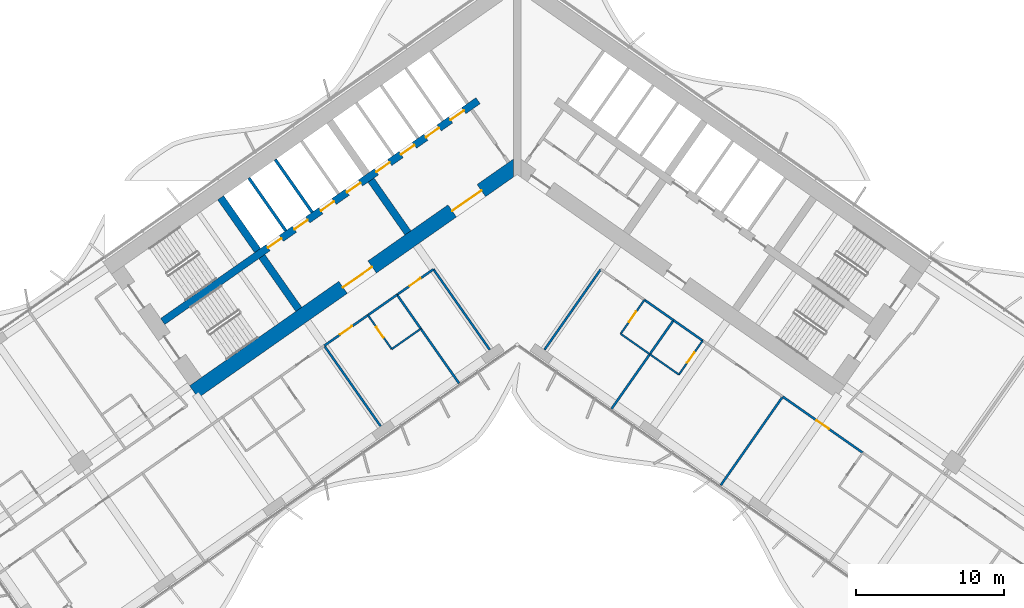
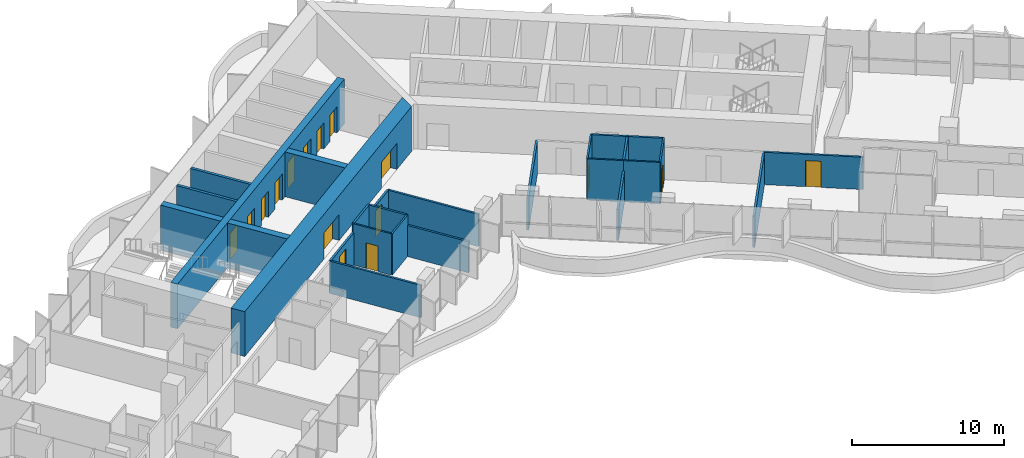
# One storey, part 13 of 22: 27 walls, 16 doors, 16 openings.
"""IFC4 building model written with IfcOpenShell, lengths in metres."""

from ifc_helpers import new_model, si_unit, direction, frame, frame_2d, origin, place, context, subcontext, project, spatial, polyline, rectangle, outline, extrude, material, layer, layer_set, type_object, element, fill, save


model = new_model("IFC4")

# Units and contexts
model_context = context("Model", 3, precision=1e-05, world=origin(), true_north=direction((0.0, 1.0)))
body_context = subcontext(model_context, "Body", "Model", "MODEL_VIEW")
ifc_project = project(units=[si_unit("LENGTHUNIT", "METRE"), si_unit("AREAUNIT", "SQUARE_METRE"), si_unit("VOLUMEUNIT", "CUBIC_METRE"), si_unit("PLANEANGLEUNIT", "RADIAN"), si_unit("MASSUNIT", "GRAM", prefix="KILO")], contexts=[model_context])

# Site, building, storey
site_placement = place(None, origin())
site = spatial("IfcSite", under=ifc_project, at=site_placement, CompositionType="ELEMENT")
building_placement = place(site_placement, origin())
building = spatial("IfcBuilding", under=site, at=building_placement, Name="Tel Ilan Convention Tower", CompositionType="ELEMENT")
storey_placement = place(building_placement, frame((0.0, 0.0, 122.89990234375)))
storey = spatial("IfcBuildingStorey", under=building, at=storey_placement, Name="L27", CompositionType="ELEMENT", Elevation=122.89990234375)

# Wall, openings, doors
ifc_material_1 = material(Name="Concrete C60/75", Category="concrete")
ifc_layer_1 = layer(ifc_material_1, 1.0)
ifc_layer_set_1 = layer_set([ifc_layer_1], Name="Core Shear Wall 1000 mm C60/75")
wall_type_1 = type_object("IfcWallType", Name="Core Shear Wall 1000 mm C60/75", PredefinedType="SHEAR", material=ifc_layer_set_1)
wall_1_placement = place(storey_placement, frame((0.036865234375, -0.584716796875, 0.0), z_axis=(0.0, 0.0, 1.0), x_axis=(-0.819157152511, -0.573569140985, 0.0)))
wall_1 = element("IfcWall", 1, at=wall_1_placement, inside=storey, type_object=wall_type_1, Name="L27 core wall W-front", PredefinedType="SHEAR", context=body_context, shape_type="SweptSolid", body=[
    extrude(outline(polyline([(26.69482421875, 0.500244140625), (0.7001953125, 0.499755859375), (0.0, -0.5), (26.69482421875, -0.499755859375), (26.69482421875, 0.500244140625)])), origin(), (0.0, 0.0, 1.0), 3.60009765625),
])
opening_1_placement = place(wall_1_placement, frame((2.994873046875, 0.0, 0.0)))
opening_1 = element("IfcOpeningElement", 2, at=opening_1_placement, cuts=wall_1, Name="Opening CD2105", PredefinedType="OPENING", context=body_context, shape_type="SweptSolid", body=[
    extrude(rectangle(XDim=2.39990234375, YDim=2.10009765625, at=frame_2d((1.199951171875, 1.050048828125))), frame((0.0, 0.510009765625, 0.0), z_axis=(0.0, -1.0, 0.0), x_axis=(1.0, 0.0, 0.0)), (0.0, 0.0, 1.0), 1.02001953125),
])
opening_2_placement = place(wall_1_placement, frame((11.994873046875, 0.0, 0.0)))
opening_2 = element("IfcOpeningElement", 3, at=opening_2_placement, cuts=wall_1, Name="Opening CD2106", PredefinedType="OPENING", context=body_context, shape_type="SweptSolid", body=[
    extrude(rectangle(XDim=2.39990234375, YDim=2.10009765625, at=frame_2d((1.199951171875, 1.050048828125))), frame((0.0, 0.510009765625, 0.0), z_axis=(0.0, -1.0, 0.0), x_axis=(1.0, 0.0, 0.0)), (0.0, 0.0, 1.0), 1.02001953125),
])
ifc_material_2 = material(Name="Glazed Aluminium Door Leaf", Category="aluminium")
door_type_1 = type_object("IfcDoorType", Name="Lobby Opening Door 2400 x 2100 FD60S", OperationType="NOTDEFINED", PredefinedType="DOOR", material=ifc_material_2)
door_1_placement = place(opening_1_placement, origin())
door_1 = element("IfcDoor", 4, at=door_1_placement, inside=storey, type_object=door_type_1, Name="Lift Lobby LR1-LR4 opening", OperationType="DOUBLE_DOOR_SINGLE_SWING", OverallHeight=2.10009765625, OverallWidth=2.39990234375, PredefinedType="DOOR", context=body_context, shape_type="SweptSolid", body=[
    extrude(rectangle(XDim=2.39990234375, YDim=2.10009765625, at=frame_2d((1.199951171875, 1.050048828125))), frame((0.0, 0.02490234375, 0.0), z_axis=(0.0, -1.0, 0.0), x_axis=(1.0, 0.0, 0.0)), (0.0, 0.0, 1.0), 0.050048828125),
])
fill(opening_1, door_1)
door_2_placement = place(opening_2_placement, origin())
door_2 = element("IfcDoor", 5, at=door_2_placement, inside=storey, type_object=door_type_1, Name="Lift Lobby LR5-LR8 opening", OperationType="DOUBLE_DOOR_SINGLE_SWING", OverallHeight=2.10009765625, OverallWidth=2.39990234375, PredefinedType="DOOR", context=body_context, shape_type="SweptSolid", body=[
    extrude(rectangle(XDim=2.39990234375, YDim=2.10009765625, at=frame_2d((1.199951171875, 1.050048828125))), frame((0.0, 0.02490234375, 0.0), z_axis=(0.0, -1.0, 0.0), x_axis=(1.0, 0.0, 0.0)), (0.0, 0.0, 1.0), 0.050048828125),
])
fill(opening_2, door_2)

# Walls
ifc_material_3 = material(Name="Concrete C60/75", Category="concrete")
ifc_layer_2 = layer(ifc_material_3, 0.5)
ifc_layer_set_2 = layer_set([ifc_layer_2], Name="Core Shear Wall 500 mm C60/75")
wall_type_2 = type_object("IfcWallType", Name="Core Shear Wall 500 mm C60/75", PredefinedType="SHEAR", material=ifc_layer_set_2)
wall_2_placement = place(storey_placement, frame((-7.372314453125, -5.162109375, 0.0), z_axis=(0.0, 0.0, 1.0), x_axis=(-0.573594173421, 0.819139624372, 0.0)))
element("IfcWall", 6, at=wall_2_placement, inside=storey, type_object=wall_type_2, Name="L27 core wall W-cross1-1", PredefinedType="SHEAR", context=body_context, shape_type="SweptSolid", body=[
    extrude(outline(polyline([(4.349853515625, 0.25), (0.0, 0.250244140625), (0.0, -0.25), (4.349853515625, -0.25), (4.349853515625, 0.25)])), origin(), (0.0, 0.0, 1.0), 3.60009765625),
])
wall_3_placement = place(storey_placement, frame((-14.74462890625, -10.324462890625, 0.0), z_axis=(0.0, 0.0, 1.0), x_axis=(-0.57356780395, 0.819158088694, 0.0)))
element("IfcWall", 7, at=wall_3_placement, inside=storey, type_object=wall_type_2, Name="L27 core wall W-cross2-1", PredefinedType="SHEAR", context=body_context, shape_type="SweptSolid", body=[
    extrude(outline(polyline([(4.35009765625, 0.250244140625), (0.0, 0.25), (0.0, -0.25), (4.35009765625, -0.25), (4.35009765625, 0.250244140625)])), origin(), (0.0, 0.0, 1.0), 3.60009765625),
])
wall_4_placement = place(storey_placement, frame((-17.526611328125, -6.3515625, 0.0), z_axis=(0.0, 0.0, 1.0), x_axis=(-0.573530143085, 0.819184457233, 0.0)))
element("IfcWall", 8, at=wall_4_placement, inside=storey, type_object=wall_type_2, Name="L27 core wall W-cross2-2", PredefinedType="SHEAR", context=body_context, shape_type="SweptSolid", body=[
    extrude(outline(polyline([(4.35009765625, -0.249755859375), (4.35009765625, 0.250244140625), (0.0, 0.25), (0.0, -0.25), (4.35009765625, -0.249755859375)])), origin(), (0.0, 0.0, 1.0), 3.60009765625),
])

# Wall, openings, doors
wall_5_placement = place(storey_placement, frame((-2.638427734375, 3.76806640625, 0.0), z_axis=(0.0, 0.0, 1.0), x_axis=(-0.819148977158, -0.573580816643, 0.0)))
wall_5 = element("IfcWall", 9, at=wall_5_placement, inside=storey, type_object=wall_type_2, Name="L27 core wall W-spine", PredefinedType="SHEAR", context=body_context, shape_type="SweptSolid", body=[
    extrude(outline(polyline([(26.0, 0.249755859375), (0.0, 0.25), (0.0, -0.25), (26.0, -0.250244140625), (26.0, 0.249755859375)])), origin(), (0.0, 0.0, 1.0), 3.60009765625),
])
opening_3_placement = place(wall_5_placement, frame((1.168701171875, 0.0, 0.0)))
opening_3 = element("IfcOpeningElement", 10, at=opening_3_placement, cuts=wall_5, Name="Opening LD2104", PredefinedType="OPENING", context=body_context, shape_type="SweptSolid", body=[
    extrude(rectangle(XDim=1.10009765625, YDim=2.10009765625, at=frame_2d((0.550048828125, 1.050048828125))), frame((0.0, 0.260009765625, 0.0), z_axis=(0.0, -1.0, 0.0), x_axis=(1.0, 0.0, 0.0)), (0.0, 0.0, 1.0), 0.52001953125),
])
opening_4_placement = place(wall_5_placement, frame((3.206298828125, 0.0, 0.0)))
opening_4 = element("IfcOpeningElement", 11, at=opening_4_placement, cuts=wall_5, Name="Opening LD2105", PredefinedType="OPENING", context=body_context, shape_type="SweptSolid", body=[
    extrude(rectangle(XDim=1.10009765625, YDim=2.10009765625, at=frame_2d((0.550048828125, 1.050048828125))), frame((0.0, 0.260009765625, 0.0), z_axis=(0.0, -1.0, 0.0), x_axis=(1.0, 0.0, 0.0)), (0.0, 0.0, 1.0), 0.52001953125),
])
opening_5_placement = place(wall_5_placement, frame((5.24365234375, 0.0, 0.0)))
opening_5 = element("IfcOpeningElement", 12, at=opening_5_placement, cuts=wall_5, Name="Opening LD2106", PredefinedType="OPENING", context=body_context, shape_type="SweptSolid", body=[
    extrude(rectangle(XDim=1.10009765625, YDim=2.10009765625, at=frame_2d((0.550048828125, 1.050048828125))), frame((0.0, 0.260009765625, 0.0), z_axis=(0.0, -1.0, 0.0), x_axis=(1.0, 0.0, 0.0)), (0.0, 0.0, 1.0), 0.52001953125),
])
opening_6_placement = place(wall_5_placement, frame((7.28125, 0.0, 0.0)))
opening_6 = element("IfcOpeningElement", 13, at=opening_6_placement, cuts=wall_5, Name="Opening LD2107", PredefinedType="OPENING", context=body_context, shape_type="SweptSolid", body=[
    extrude(rectangle(XDim=1.10009765625, YDim=2.10009765625, at=frame_2d((0.550048828125, 1.050048828125))), frame((0.0, 0.260009765625, 0.0), z_axis=(0.0, -1.0, 0.0), x_axis=(1.0, 0.0, 0.0)), (0.0, 0.0, 1.0), 0.52001953125),
])
opening_7_placement = place(wall_5_placement, frame((9.6875, 0.0, 0.0)))
opening_7 = element("IfcOpeningElement", 14, at=opening_7_placement, cuts=wall_5, Name="Opening LD2108", PredefinedType="OPENING", context=body_context, shape_type="SweptSolid", body=[
    extrude(rectangle(XDim=1.10009765625, YDim=2.10009765625, at=frame_2d((0.550048828125, 1.050048828125))), frame((0.0, 0.260009765625, 0.0), z_axis=(0.0, -1.0, 0.0), x_axis=(1.0, 0.0, 0.0)), (0.0, 0.0, 1.0), 0.52001953125),
])
opening_8_placement = place(wall_5_placement, frame((11.862548828125, 0.0, 0.0)))
opening_8 = element("IfcOpeningElement", 15, at=opening_8_placement, cuts=wall_5, Name="Opening LD2109", PredefinedType="OPENING", context=body_context, shape_type="SweptSolid", body=[
    extrude(rectangle(XDim=1.10009765625, YDim=2.10009765625, at=frame_2d((0.550048828125, 1.050048828125))), frame((0.0, 0.260009765625, 0.0), z_axis=(0.0, -1.0, 0.0), x_axis=(1.0, 0.0, 0.0)), (0.0, 0.0, 1.0), 0.52001953125),
])
opening_9_placement = place(wall_5_placement, frame((14.03759765625, 0.0, 0.0)))
opening_9 = element("IfcOpeningElement", 16, at=opening_9_placement, cuts=wall_5, Name="Opening LD2110", PredefinedType="OPENING", context=body_context, shape_type="SweptSolid", body=[
    extrude(rectangle(XDim=1.10009765625, YDim=2.10009765625, at=frame_2d((0.550048828125, 1.050048828125))), frame((0.0, 0.260009765625, 0.0), z_axis=(0.0, -1.0, 0.0), x_axis=(1.0, 0.0, 0.0)), (0.0, 0.0, 1.0), 0.52001953125),
])
opening_10_placement = place(wall_5_placement, frame((16.21240234375, 0.0, 0.0)))
opening_10 = element("IfcOpeningElement", 17, at=opening_10_placement, cuts=wall_5, Name="Opening LD2111", PredefinedType="OPENING", context=body_context, shape_type="SweptSolid", body=[
    extrude(rectangle(XDim=1.10009765625, YDim=2.10009765625, at=frame_2d((0.550048828125, 1.050048828125))), frame((0.0, 0.260009765625, 0.0), z_axis=(0.0, -1.0, 0.0), x_axis=(1.0, 0.0, 0.0)), (0.0, 0.0, 1.0), 0.52001953125),
])
ifc_material_4 = material(Name="Stainless Steel Sliding Door Leaf", Category="steel")
door_type_2 = type_object("IfcDoorType", Name="Lift Landing Door 1100 x 2100 FD120", OperationType="NOTDEFINED", PredefinedType="DOOR", material=ifc_material_4)
door_3_placement = place(opening_3_placement, origin())
door_3 = element("IfcDoor", 18, at=door_3_placement, inside=storey, type_object=door_type_2, Name="Lift LR1 landing door", OperationType="SLIDING_TO_LEFT", OverallHeight=2.10009765625, OverallWidth=1.10009765625, PredefinedType="DOOR", context=body_context, shape_type="SweptSolid", body=[
    extrude(rectangle(XDim=1.10009765625, YDim=2.10009765625, at=frame_2d((0.550048828125, 1.050048828125))), frame((0.0, 0.02490234375, 0.0), z_axis=(0.0, -1.0, 0.0), x_axis=(1.0, 0.0, 0.0)), (0.0, 0.0, 1.0), 0.050048828125),
])
fill(opening_3, door_3)
door_4_placement = place(opening_4_placement, origin())
door_4 = element("IfcDoor", 19, at=door_4_placement, inside=storey, type_object=door_type_2, Name="Lift LR2 landing door", OperationType="SLIDING_TO_RIGHT", OverallHeight=2.10009765625, OverallWidth=1.10009765625, PredefinedType="DOOR", context=body_context, shape_type="SweptSolid", body=[
    extrude(rectangle(XDim=1.10009765625, YDim=2.10009765625, at=frame_2d((0.550048828125, 1.050048828125))), frame((0.0, 0.02490234375, 0.0), z_axis=(0.0, -1.0, 0.0), x_axis=(1.0, 0.0, 0.0)), (0.0, 0.0, 1.0), 0.050048828125),
])
fill(opening_4, door_4)
door_5_placement = place(opening_5_placement, origin())
door_5 = element("IfcDoor", 20, at=door_5_placement, inside=storey, type_object=door_type_2, Name="Lift LR3 landing door", OperationType="SLIDING_TO_LEFT", OverallHeight=2.10009765625, OverallWidth=1.10009765625, PredefinedType="DOOR", context=body_context, shape_type="SweptSolid", body=[
    extrude(rectangle(XDim=1.10009765625, YDim=2.10009765625, at=frame_2d((0.550048828125, 1.050048828125))), frame((0.0, 0.02490234375, 0.0), z_axis=(0.0, -1.0, 0.0), x_axis=(1.0, 0.0, 0.0)), (0.0, 0.0, 1.0), 0.050048828125),
])
fill(opening_5, door_5)
door_6_placement = place(opening_6_placement, origin())
door_6 = element("IfcDoor", 21, at=door_6_placement, inside=storey, type_object=door_type_2, Name="Lift LR4 landing door", OperationType="SLIDING_TO_RIGHT", OverallHeight=2.10009765625, OverallWidth=1.10009765625, PredefinedType="DOOR", context=body_context, shape_type="SweptSolid", body=[
    extrude(rectangle(XDim=1.10009765625, YDim=2.10009765625, at=frame_2d((0.550048828125, 1.050048828125))), frame((0.0, 0.02490234375, 0.0), z_axis=(0.0, -1.0, 0.0), x_axis=(1.0, 0.0, 0.0)), (0.0, 0.0, 1.0), 0.050048828125),
])
fill(opening_6, door_6)
door_7_placement = place(opening_7_placement, origin())
door_7 = element("IfcDoor", 22, at=door_7_placement, inside=storey, type_object=door_type_2, Name="Lift LR5 landing door", OperationType="SLIDING_TO_LEFT", OverallHeight=2.10009765625, OverallWidth=1.10009765625, PredefinedType="DOOR", context=body_context, shape_type="SweptSolid", body=[
    extrude(rectangle(XDim=1.10009765625, YDim=2.10009765625, at=frame_2d((0.550048828125, 1.050048828125))), frame((0.0, 0.02490234375, 0.0), z_axis=(0.0, -1.0, 0.0), x_axis=(1.0, 0.0, 0.0)), (0.0, 0.0, 1.0), 0.050048828125),
])
fill(opening_7, door_7)
door_8_placement = place(opening_8_placement, origin())
door_8 = element("IfcDoor", 23, at=door_8_placement, inside=storey, type_object=door_type_2, Name="Lift LR6 landing door", OperationType="SLIDING_TO_RIGHT", OverallHeight=2.10009765625, OverallWidth=1.10009765625, PredefinedType="DOOR", context=body_context, shape_type="SweptSolid", body=[
    extrude(rectangle(XDim=1.10009765625, YDim=2.10009765625, at=frame_2d((0.550048828125, 1.050048828125))), frame((0.0, 0.02490234375, 0.0), z_axis=(0.0, -1.0, 0.0), x_axis=(1.0, 0.0, 0.0)), (0.0, 0.0, 1.0), 0.050048828125),
])
fill(opening_8, door_8)
door_9_placement = place(opening_9_placement, origin())
door_9 = element("IfcDoor", 24, at=door_9_placement, inside=storey, type_object=door_type_2, Name="Lift LR7 landing door", OperationType="SLIDING_TO_LEFT", OverallHeight=2.10009765625, OverallWidth=1.10009765625, PredefinedType="DOOR", context=body_context, shape_type="SweptSolid", body=[
    extrude(rectangle(XDim=1.10009765625, YDim=2.10009765625, at=frame_2d((0.550048828125, 1.050048828125))), frame((0.0, 0.02490234375, 0.0), z_axis=(0.0, -1.0, 0.0), x_axis=(1.0, 0.0, 0.0)), (0.0, 0.0, 1.0), 0.050048828125),
])
fill(opening_9, door_9)
door_10_placement = place(opening_10_placement, origin())
door_10 = element("IfcDoor", 25, at=door_10_placement, inside=storey, type_object=door_type_2, Name="Lift LR8 landing door", OperationType="SLIDING_TO_RIGHT", OverallHeight=2.10009765625, OverallWidth=1.10009765625, PredefinedType="DOOR", context=body_context, shape_type="SweptSolid", body=[
    extrude(rectangle(XDim=1.10009765625, YDim=2.10009765625, at=frame_2d((0.550048828125, 1.050048828125))), frame((0.0, 0.02490234375, 0.0), z_axis=(0.0, -1.0, 0.0), x_axis=(1.0, 0.0, 0.0)), (0.0, 0.0, 1.0), 0.050048828125),
])
fill(opening_10, door_10)

# Walls
ifc_material_5 = material(Name="Plasterboard on Steel Studs", Category="steel")
ifc_layer_3 = layer(ifc_material_5, 0.14990234375)
ifc_layer_set_3 = layer_set([ifc_layer_3], Name="Fire-rated Partition 150 EI 60")
wall_type_3 = type_object("IfcWallType", Name="Fire-rated Partition 150 EI 60", PredefinedType="PARTITIONING", material=ifc_layer_set_3)
wall_6_placement = place(storey_placement, frame((10.568115234375, -11.062255859375, 0.0), z_axis=(0.0, 0.0, 1.0), x_axis=(-0.819146032251, 0.573585022335, 0.0)))
element("IfcWall", 26, at=wall_6_placement, inside=storey, type_object=wall_type_3, Name="Partition 004", PredefinedType="PARTITIONING", context=body_context, shape_type="SweptSolid", body=[
    extrude(rectangle(XDim=2.404052734375, YDim=0.14990234375, at=frame_2d((1.2021484375, 0.0))), origin(), (0.0, 0.0, 1.0), 3.320068359375),
])
wall_7_placement = place(storey_placement, frame((12.5341796875, -12.438720703125, 0.0), z_axis=(0.0, 0.0, 1.0), x_axis=(-0.819193748, 0.57351687267, 0.0)))
element("IfcWall", 27, at=wall_7_placement, inside=storey, type_object=wall_type_3, Name="Partition 006", PredefinedType="PARTITIONING", context=body_context, shape_type="SweptSolid", body=[
    extrude(rectangle(XDim=2.40380859375, YDim=0.14990234375, at=frame_2d((1.201904296875, 0.0))), origin(), (0.0, 0.0, 1.0), 3.320068359375),
])

# Wall, opening, door
wall_8_placement = place(storey_placement, frame((23.34619140625, -20.009521484375, 0.0), z_axis=(0.0, 0.0, 1.0), x_axis=(-0.819153746897, 0.573574004767, 0.0)))
wall_8 = element("IfcWall", 28, at=wall_8_placement, inside=storey, type_object=wall_type_3, Name="Partition 007", PredefinedType="PARTITIONING", context=body_context, shape_type="SweptSolid", body=[
    extrude(rectangle(XDim=6.60302734375, YDim=0.14990234375, at=frame_2d((3.301513671875, 0.0))), origin(), (0.0, 0.0, 1.0), 2.60009765625),
])
opening_11_placement = place(wall_8_placement, frame((2.801025390625, 0.0, 0.0)))
opening_11 = element("IfcOpeningElement", 29, at=opening_11_placement, cuts=wall_8, Name="Opening L27-021", PredefinedType="OPENING", context=body_context, shape_type="SweptSolid", body=[
    extrude(rectangle(XDim=1.0, YDim=2.10009765625, at=frame_2d((0.5, 1.050048828125))), frame((0.0, 0.0849609375, 0.0), z_axis=(0.0, -1.0, 0.0), x_axis=(1.0, 0.0, 0.0)), (0.0, 0.0, 1.0), 0.169921875),
])
ifc_material_6 = material(Name="Timber Door Leaf in Steel Frame", Category="steel")
door_type_3 = type_object("IfcDoorType", Name="Hotel Room Entrance Fire Door 1000x2100", OperationType="NOTDEFINED", PredefinedType="DOOR", material=ifc_material_6)
door_11_placement = place(opening_11_placement, origin())
door_11 = element("IfcDoor", 30, at=door_11_placement, inside=storey, type_object=door_type_3, Name="Door L27-021", OperationType="SINGLE_SWING_RIGHT", OverallHeight=2.10009765625, OverallWidth=1.0, PredefinedType="DOOR", context=body_context, shape_type="SweptSolid", body=[
    extrude(rectangle(XDim=1.0, YDim=2.10009765625, at=frame_2d((0.5, 1.050048828125))), frame((0.0, 0.02490234375, 0.0), z_axis=(0.0, -1.0, 0.0), x_axis=(1.0, 0.0, 0.0)), (0.0, 0.0, 1.0), 0.050048828125),
])
fill(opening_11, door_11)

wall_9_placement = place(storey_placement, frame((-5.651611328125, -7.61962890625, 0.0), z_axis=(0.0, 0.0, 1.0), x_axis=(-0.819132568355, -0.573604249862, 0.0)))
wall_9 = element("IfcWall", 31, at=wall_9_placement, inside=storey, type_object=wall_type_3, Name="Partition 017", PredefinedType="PARTITIONING", context=body_context, shape_type="SweptSolid", body=[
    extrude(rectangle(XDim=3.001953125, YDim=0.14990234375, at=frame_2d((1.5009765625, 0.0))), origin(), (0.0, 0.0, 1.0), 2.60009765625),
])
opening_12_placement = place(wall_9_placement, frame((1.051025390625, 0.0, 0.0)))
opening_12 = element("IfcOpeningElement", 32, at=opening_12_placement, cuts=wall_9, Name="Opening L27-001", PredefinedType="OPENING", context=body_context, shape_type="SweptSolid", body=[
    extrude(rectangle(XDim=0.89990234375, YDim=2.10009765625, at=frame_2d((0.449951171875, 1.050048828125))), frame((0.0, 0.0849609375, 0.0), z_axis=(0.0, -1.0, 0.0), x_axis=(1.0, 0.0, 0.0)), (0.0, 0.0, 1.0), 0.169921875),
])
ifc_material_7 = material(Name="Timber Door Leaf in Steel Frame", Category="steel")
door_type_4 = type_object("IfcDoorType", Name="Room Fire Door 900x2100", OperationType="NOTDEFINED", PredefinedType="DOOR", material=ifc_material_7)
door_12_placement = place(opening_12_placement, origin())
door_12 = element("IfcDoor", 33, at=door_12_placement, inside=storey, type_object=door_type_4, Name="Door L27-001", OperationType="SINGLE_SWING_RIGHT", OverallHeight=2.10009765625, OverallWidth=0.89990234375, PredefinedType="DOOR", context=body_context, shape_type="SweptSolid", body=[
    extrude(rectangle(XDim=0.89990234375, YDim=2.10009765625, at=frame_2d((0.449951171875, 1.050048828125))), frame((0.0, 0.02490234375, 0.0), z_axis=(0.0, -1.0, 0.0), x_axis=(1.0, 0.0, 0.0)), (0.0, 0.0, 1.0), 0.050048828125),
])
fill(opening_12, door_12)

wall_10_placement = place(storey_placement, frame((-10.07421875, -10.71630859375, 0.0), z_axis=(0.0, 0.0, 1.0), x_axis=(-0.819145961204, -0.573585123798, 0.0)))
wall_10 = element("IfcWall", 34, at=wall_10_placement, inside=storey, type_object=wall_type_3, Name="Partition 018", PredefinedType="PARTITIONING", context=body_context, shape_type="SweptSolid", body=[
    extrude(rectangle(XDim=3.60302734375, YDim=0.14990234375, at=frame_2d((1.801513671875, 0.0))), origin(), (0.0, 0.0, 1.0), 2.60009765625),
])
opening_13_placement = place(wall_10_placement, frame((1.301025390625, 0.0, 0.0)))
opening_13 = element("IfcOpeningElement", 35, at=opening_13_placement, cuts=wall_10, Name="Opening L27-003", PredefinedType="OPENING", context=body_context, shape_type="SweptSolid", body=[
    extrude(rectangle(XDim=1.0, YDim=2.10009765625, at=frame_2d((0.5, 1.050048828125))), frame((0.0, 0.0849609375, 0.0), z_axis=(0.0, -1.0, 0.0), x_axis=(1.0, 0.0, 0.0)), (0.0, 0.0, 1.0), 0.169921875),
])
door_13_placement = place(opening_13_placement, origin())
door_13 = element("IfcDoor", 36, at=door_13_placement, inside=storey, type_object=door_type_3, Name="Door L27-003", OperationType="SINGLE_SWING_LEFT", OverallHeight=2.10009765625, OverallWidth=1.0, PredefinedType="DOOR", context=body_context, shape_type="SweptSolid", body=[
    extrude(rectangle(XDim=1.0, YDim=2.10009765625, at=frame_2d((0.5, 1.050048828125))), frame((0.0, 0.02490234375, 0.0), z_axis=(0.0, -1.0, 0.0), x_axis=(1.0, 0.0, 0.0)), (0.0, 0.0, 1.0), 0.050048828125),
])
fill(opening_13, door_13)

# Walls
wall_11_placement = place(storey_placement, frame((-8.107421875, -9.339111328125, 0.0), z_axis=(0.0, 0.0, 1.0), x_axis=(-0.819146032251, -0.573585022335, 0.0)))
element("IfcWall", 37, at=wall_11_placement, inside=storey, type_object=wall_type_3, Name="Partition 019", PredefinedType="PARTITIONING", context=body_context, shape_type="SweptSolid", body=[
    extrude(rectangle(XDim=2.404052734375, YDim=0.14990234375, at=frame_2d((1.2021484375, 0.0))), origin(), (0.0, 0.0, 1.0), 3.320068359375),
])
wall_12_placement = place(storey_placement, frame((8.9599609375, -13.35546875, 0.0), z_axis=(0.0, 0.0, 1.0), x_axis=(-0.573564311442, -0.819160534108, 0.0)))
element("IfcWall", 38, at=wall_12_placement, inside=storey, type_object=wall_type_3, Name="Partition 034", PredefinedType="PARTITIONING", context=body_context, shape_type="SweptSolid", body=[
    extrude(rectangle(XDim=4.499267578125, YDim=0.14990234375, at=frame_2d((2.24951171875, 0.0))), origin(), (0.0, 0.0, 1.0), 2.5),
])
wall_13_placement = place(storey_placement, frame((1.848876953125, -13.050537109375, 0.0), z_axis=(0.0, 0.0, 1.0), x_axis=(0.57357355307, 0.819154063177, 0.0)))
element("IfcWall", 39, at=wall_13_placement, inside=storey, type_object=wall_type_3, Name="Partition 035", PredefinedType="PARTITIONING", context=body_context, shape_type="SweptSolid", body=[
    extrude(rectangle(XDim=6.6298828125, YDim=0.14990234375, at=frame_2d((3.31494140625, 0.0))), origin(), (0.0, 0.0, 1.0), 2.60009765625),
])
wall_14_placement = place(storey_placement, frame((10.566650390625, -11.06103515625, 0.0), z_axis=(0.0, 0.0, 1.0), x_axis=(-0.573608623498, -0.819129505664, 0.0)))
element("IfcWall", 40, at=wall_14_placement, inside=storey, type_object=wall_type_3, Name="Partition 036", PredefinedType="PARTITIONING", context=body_context, shape_type="SweptSolid", body=[
    extrude(rectangle(XDim=2.800048828125, YDim=0.14990234375, at=frame_2d((1.39990234375, 0.0))), origin(), (0.0, 0.0, 1.0), 3.320068359375),
])
wall_15_placement = place(storey_placement, frame((17.93896484375, -16.223388671875, 0.0), z_axis=(0.0, 0.0, 1.0), x_axis=(-0.573594765376, -0.819139209862, 0.0)))
element("IfcWall", 41, at=wall_15_placement, inside=storey, type_object=wall_type_3, Name="Partition 039", PredefinedType="PARTITIONING", context=body_context, shape_type="SweptSolid", body=[
    extrude(rectangle(XDim=7.300048828125, YDim=0.14990234375, at=frame_2d((3.64990234375, 0.0))), origin(), (0.0, 0.0, 1.0), 2.5),
])
wall_16_placement = place(storey_placement, frame((-1.848876953125, -13.050537109375, 0.0), z_axis=(0.0, 0.0, 1.0), x_axis=(-0.573575988258, 0.819152358047, 0.0)))
element("IfcWall", 42, at=wall_16_placement, inside=storey, type_object=wall_type_3, Name="Partition 047", PredefinedType="PARTITIONING", context=body_context, shape_type="SweptSolid", body=[
    extrude(rectangle(XDim=6.632080078125, YDim=0.14990234375, at=frame_2d((3.31591796875, 0.0))), origin(), (0.0, 0.0, 1.0), 2.60009765625),
])
wall_17_placement = place(storey_placement, frame((-3.922119140625, -15.3203125, 0.0), z_axis=(0.0, 0.0, 1.0), x_axis=(-0.573556991349, 0.819165659482, 0.0)))
element("IfcWall", 43, at=wall_17_placement, inside=storey, type_object=wall_type_3, Name="Partition 059", PredefinedType="PARTITIONING", context=body_context, shape_type="SweptSolid", body=[
    extrude(rectangle(XDim=4.5009765625, YDim=0.14990234375, at=frame_2d((2.25048828125, 0.0))), origin(), (0.0, 0.0, 1.0), 2.5),
])
wall_18_placement = place(storey_placement, frame((-6.501953125, -11.635498046875, 0.0), z_axis=(0.0, 0.0, 1.0), x_axis=(-0.573596837309, 0.819137759006, 0.0)))
element("IfcWall", 44, at=wall_18_placement, inside=storey, type_object=wall_type_3, Name="Partition 060", PredefinedType="PARTITIONING", context=body_context, shape_type="SweptSolid", body=[
    extrude(rectangle(XDim=2.802001953125, YDim=0.14990234375, at=frame_2d((1.40087890625, 0.0))), origin(), (0.0, 0.0, 1.0), 3.320068359375),
])
wall_19_placement = place(storey_placement, frame((-9.22119140625, -18.212890625, 0.0), z_axis=(0.0, 0.0, 1.0), x_axis=(-0.573556251799, 0.819166177294, 0.0)))
element("IfcWall", 45, at=wall_19_placement, inside=storey, type_object=wall_type_3, Name="Partition 063", PredefinedType="PARTITIONING", context=body_context, shape_type="SweptSolid", body=[
    extrude(rectangle(XDim=6.630126953125, YDim=0.14990234375, at=frame_2d((3.31494140625, 0.0))), origin(), (0.0, 0.0, 1.0), 2.60009765625),
])
ifc_material_8 = material(Name="Concrete C30/37", Category="concrete")
ifc_layer_4 = layer(ifc_material_8, 0.199951171875)
ifc_layer_set_4 = layer_set([ifc_layer_4], Name="Lift Shaft Wall 200 mm C30/37")
wall_type_4 = type_object("IfcWallType", Name="Lift Shaft Wall 200 mm C30/37", PredefinedType="SOLIDWALL", material=ifc_layer_set_4)
wall_20_placement = place(storey_placement, frame((-13.84033203125, -3.7705078125, 0.0), z_axis=(0.0, 0.0, 1.0), x_axis=(-0.57356780395, 0.819158088694, 0.0)))
element("IfcWall", 46, at=wall_20_placement, inside=storey, type_object=wall_type_4, Name="L27 core wall bank-W2-p1", PredefinedType="SOLIDWALL", context=body_context, shape_type="SweptSolid", body=[
    extrude(rectangle(XDim=4.35009765625, YDim=0.199951171875, at=frame_2d((2.175048828125, 0.0))), origin(), (0.0, 0.0, 1.0), 3.60009765625),
])
wall_21_placement = place(storey_placement, frame((-15.6220703125, -5.017822265625, 0.0), z_axis=(0.0, 0.0, 1.0), x_axis=(-0.573594173421, 0.819139624372, 0.0)))
element("IfcWall", 47, at=wall_21_placement, inside=storey, type_object=wall_type_4, Name="L27 core wall bank-W2-p2", PredefinedType="SOLIDWALL", context=body_context, shape_type="SweptSolid", body=[
    extrude(rectangle(XDim=4.349853515625, YDim=0.199951171875, at=frame_2d((2.1748046875, 0.0))), origin(), (0.0, 0.0, 1.0), 3.60009765625),
])

# Wall, opening, door
ifc_material_9 = material(Name="Plasterboard on Steel Studs", Category="steel")
ifc_layer_5 = layer(ifc_material_9, 0.1201171875)
ifc_layer_set_5 = layer_set([ifc_layer_5], Name="Moisture-resistant Partition 120")
wall_type_5 = type_object("IfcWallType", Name="Moisture-resistant Partition 120", PredefinedType="PARTITIONING", material=ifc_layer_set_5)
wall_22_placement = place(storey_placement, frame((8.599853515625, -9.683837890625, 0.0), z_axis=(0.0, 0.0, 1.0), x_axis=(-0.573550118428, -0.819170471667, 0.0)))
wall_22 = element("IfcWall", 48, at=wall_22_placement, inside=storey, type_object=wall_type_5, Name="Partition 032", PredefinedType="PARTITIONING", context=body_context, shape_type="SweptSolid", body=[
    extrude(rectangle(XDim=2.800048828125, YDim=0.1201171875, at=frame_2d((1.39990234375, 0.0))), origin(), (0.0, 0.0, 1.0), 3.320068359375),
])
opening_14_placement = place(wall_22_placement, frame((0.97509765625, 0.0, 0.0)))
opening_14 = element("IfcOpeningElement", 49, at=opening_14_placement, cuts=wall_22, Name="Opening L27-016", PredefinedType="OPENING", context=body_context, shape_type="SweptSolid", body=[
    extrude(rectangle(XDim=0.85009765625, YDim=2.050048828125, at=frame_2d((0.425048828125, 1.02490234375))), frame((0.0, 0.070068359375, 0.0), z_axis=(0.0, -1.0, 0.0), x_axis=(1.0, 0.0, 0.0)), (0.0, 0.0, 1.0), 0.14013671875),
])
ifc_material_10 = material(Name="Timber Door Leaf in Steel Frame", Category="steel")
door_type_5 = type_object("IfcDoorType", Name="Bathroom Timber Door 850x2050", OperationType="NOTDEFINED", PredefinedType="DOOR", material=ifc_material_10)
door_14_placement = place(opening_14_placement, origin())
door_14 = element("IfcDoor", 50, at=door_14_placement, inside=storey, type_object=door_type_5, Name="Door L27-016", OperationType="SINGLE_SWING_RIGHT", OverallHeight=2.050048828125, OverallWidth=0.85009765625, PredefinedType="DOOR", context=body_context, shape_type="SweptSolid", body=[
    extrude(rectangle(XDim=0.85009765625, YDim=2.050048828125, at=frame_2d((0.425048828125, 1.02490234375))), frame((0.0, 0.02490234375, 0.0), z_axis=(0.0, -1.0, 0.0), x_axis=(1.0, 0.0, 0.0)), (0.0, 0.0, 1.0), 0.050048828125),
])
fill(opening_14, door_14)

# Walls
for number, where, z_axis, x_axis, name in (
    (51, (6.993896484375, -11.97900390625, 0.0), (0.0, 0.0, 1.0), (0.819188907105, -0.573523787192, 0.0), "Partition 033"),
    (52, (8.9599609375, -13.35546875, 0.0), (0.0, 0.0, 1.0), (0.819107643868, -0.573639841501, 0.0), "Partition 037"),
):
    element("IfcWall", number, at=place(storey_placement, frame(where, z_axis=z_axis, x_axis=x_axis)), inside=storey, type_object=wall_type_5, Name=name, PredefinedType="PARTITIONING", context=body_context, shape_type="SweptSolid", body=[
        extrude(rectangle(XDim=2.39990234375, YDim=0.1201171875, at=frame_2d((1.199951171875, 0.0))), origin(), (0.0, 0.0, 1.0), 3.320068359375),
    ])

# Wall, opening, door
wall_23_placement = place(storey_placement, frame((10.92724609375, -14.73193359375, 0.0), z_axis=(0.0, 0.0, 1.0), x_axis=(0.573550118428, 0.819170471667, 0.0)))
wall_23 = element("IfcWall", 53, at=wall_23_placement, inside=storey, type_object=wall_type_5, Name="Partition 038", PredefinedType="PARTITIONING", context=body_context, shape_type="SweptSolid", body=[
    extrude(rectangle(XDim=2.800048828125, YDim=0.1201171875, at=frame_2d((1.39990234375, 0.0))), origin(), (0.0, 0.0, 1.0), 3.320068359375),
])
opening_15_placement = place(wall_23_placement, frame((0.97509765625, 0.0, 0.0)))
opening_15 = element("IfcOpeningElement", 54, at=opening_15_placement, cuts=wall_23, Name="Opening L27-018", PredefinedType="OPENING", context=body_context, shape_type="SweptSolid", body=[
    extrude(rectangle(XDim=0.85009765625, YDim=2.050048828125, at=frame_2d((0.425048828125, 1.02490234375))), frame((0.0, 0.070068359375, 0.0), z_axis=(0.0, -1.0, 0.0), x_axis=(1.0, 0.0, 0.0)), (0.0, 0.0, 1.0), 0.14013671875),
])
door_15_placement = place(opening_15_placement, origin())
door_15 = element("IfcDoor", 55, at=door_15_placement, inside=storey, type_object=door_type_5, Name="Door L27-018", OperationType="SINGLE_SWING_RIGHT", OverallHeight=2.050048828125, OverallWidth=0.85009765625, PredefinedType="DOOR", context=body_context, shape_type="SweptSolid", body=[
    extrude(rectangle(XDim=0.85009765625, YDim=2.050048828125, at=frame_2d((0.425048828125, 1.02490234375))), frame((0.0, 0.02490234375, 0.0), z_axis=(0.0, -1.0, 0.0), x_axis=(1.0, 0.0, 0.0)), (0.0, 0.0, 1.0), 0.050048828125),
])
fill(opening_15, door_15)

wall_24_placement = place(storey_placement, frame((-10.075927734375, -10.717529296875, 0.0), z_axis=(0.0, 0.0, 1.0), x_axis=(0.573550118428, -0.819170471667, 0.0)))
wall_24 = element("IfcWall", 56, at=wall_24_placement, inside=storey, type_object=wall_type_5, Name="Partition 061", PredefinedType="PARTITIONING", context=body_context, shape_type="SweptSolid", body=[
    extrude(rectangle(XDim=2.800048828125, YDim=0.1201171875, at=frame_2d((1.39990234375, 0.0))), origin(), (0.0, 0.0, 1.0), 3.320068359375),
])
opening_16_placement = place(wall_24_placement, frame((0.97509765625, 0.0, 0.0)))
opening_16 = element("IfcOpeningElement", 57, at=opening_16_placement, cuts=wall_24, Name="Opening L27-002", PredefinedType="OPENING", context=body_context, shape_type="SweptSolid", body=[
    extrude(rectangle(XDim=0.85009765625, YDim=2.050048828125, at=frame_2d((0.425048828125, 1.02490234375))), frame((0.0, 0.070068359375, 0.0), z_axis=(0.0, -1.0, 0.0), x_axis=(1.0, 0.0, 0.0)), (0.0, 0.0, 1.0), 0.14013671875),
])
door_16_placement = place(opening_16_placement, origin())
door_16 = element("IfcDoor", 58, at=door_16_placement, inside=storey, type_object=door_type_5, Name="Door L27-002", OperationType="SINGLE_SWING_RIGHT", OverallHeight=2.050048828125, OverallWidth=0.85009765625, PredefinedType="DOOR", context=body_context, shape_type="SweptSolid", body=[
    extrude(rectangle(XDim=0.85009765625, YDim=2.050048828125, at=frame_2d((0.425048828125, 1.02490234375))), frame((0.0, 0.02490234375, 0.0), z_axis=(0.0, -1.0, 0.0), x_axis=(1.0, 0.0, 0.0)), (0.0, 0.0, 1.0), 0.050048828125),
])
fill(opening_16, door_16)

# Wall
wall_25_placement = place(storey_placement, frame((-8.468505859375, -13.011474609375, 0.0), z_axis=(0.0, 0.0, 1.0), x_axis=(0.819141114317, 0.573592045652, 0.0)))
element("IfcWall", 59, at=wall_25_placement, inside=storey, type_object=wall_type_5, Name="Partition 062", PredefinedType="PARTITIONING", context=body_context, shape_type="SweptSolid", body=[
    extrude(rectangle(XDim=2.400146484375, YDim=0.1201171875, at=frame_2d((1.2001953125, 0.0))), origin(), (0.0, 0.0, 1.0), 3.320068359375),
])

save(model, "model.ifc")
